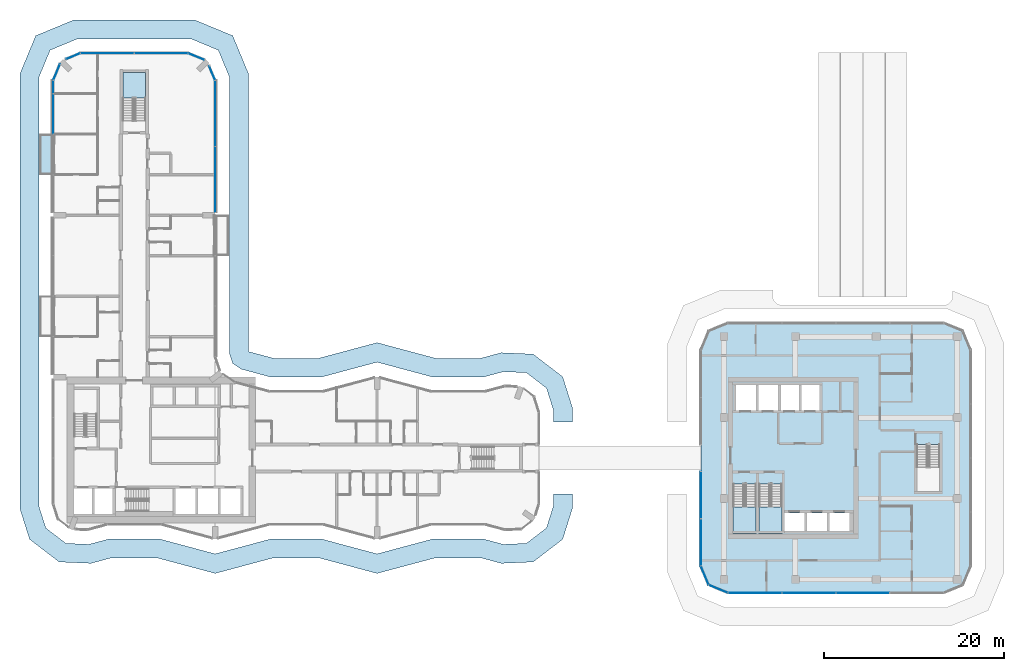
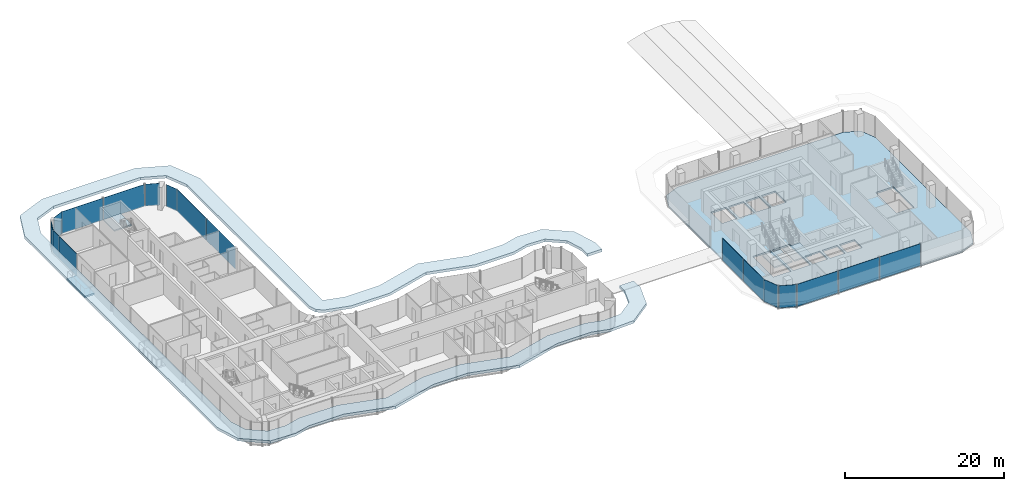
# One storey, part 12 of 24: 17 plates, 6 slabs, 14 elements without a shape of their own.
"""IFC4 building model written with IfcOpenShell, lengths in metres."""

from ifc_helpers import new_model, si_unit, direction, frame, origin, origin_2d, place, context, subcontext, project, spatial, polyline, rectangle, outline, extrude, material, layer, layer_set, type_object, element, aggregate, save


model = new_model("IFC4")

# Units and contexts
model_context = context("Model", 3, precision=1e-05, world=origin(), true_north=direction((0.0, 1.0)))
body_context = subcontext(model_context, "Body", "Model", "MODEL_VIEW")
ifc_project = project(units=[si_unit("LENGTHUNIT", "METRE"), si_unit("AREAUNIT", "SQUARE_METRE"), si_unit("VOLUMEUNIT", "CUBIC_METRE"), si_unit("PLANEANGLEUNIT", "RADIAN"), si_unit("MASSUNIT", "GRAM", prefix="KILO")], contexts=[model_context])

# Site, building, storey
site_placement = place(None, origin())
site = spatial("IfcSite", under=ifc_project, at=site_placement, CompositionType="ELEMENT")
building_placement = place(site_placement, origin())
building = spatial("IfcBuilding", under=site, at=building_placement, Name="Plateau Cross Towers", CompositionType="ELEMENT")
storey_placement = place(building_placement, frame((0.0, 0.0, 30.300048828125)))
storey = spatial("IfcBuildingStorey", under=building, at=storey_placement, Name="L06", CompositionType="ELEMENT", Elevation=30.300048828125)

# Slab
ifc_material_1 = material(Name="Concrete C40/50", Category="concrete")
ifc_layer_1 = layer(ifc_material_1, 0.25)
ifc_layer_set_1 = layer_set([ifc_layer_1], Name="Concrete C40/50")
slab_type_1 = type_object("IfcSlabType", Name="Balcony slab 250", PredefinedType="FLOOR", material=ifc_layer_set_1)
slab_1_placement = place(storey_placement, frame((0.0, 0.0, -0.25)))
element("IfcSlab", 1, at=slab_1_placement, inside=storey, type_object=slab_type_1, Name="Balcony slab A-BAL-L06-02", PredefinedType="FLOOR", context=body_context, shape_type="SweptSolid", body=[
    extrude(outline(polyline([(0.0, 40.5), (0.0, 45.0), (-1.5, 45.0), (-1.5, 40.5), (0.0, 40.5)])), origin(), (0.0, 0.0, 1.0), 0.25),
])

# Curtain wall, plates
ifc_material_2 = material(Name="Dark low-iron glass", Category="glass")
ifc_layer_2 = layer(ifc_material_2, 0.239990234375)
ifc_layer_set_2 = layer_set([ifc_layer_2], Name="Dark low-iron glass")
curtain_wall_type_1 = type_object("IfcCurtainWallType", Name="Curtain wall office unitised CW-F", PredefinedType="NOTDEFINED", material=ifc_layer_set_2)
curtain_wall_1_placement = place(storey_placement, origin())
curtain_wall_1 = element("IfcCurtainWall", 2, at=curtain_wall_1_placement, inside=storey, type_object=curtain_wall_type_1, Name="ENV/B/L06/B750_-60", PredefinedType="NOTDEFINED")
ifc_layer_3 = layer(ifc_material_2, 0.028076171875)
ifc_layer_set_3 = layer_set([ifc_layer_3], Name="Dark low-iron glass")
plate_type_1 = type_object("IfcPlateType", Name="Glass panel 28 office unitised", PredefinedType="CURTAIN_PANEL", material=ifc_layer_set_3)
plate_1_placement = place(storey_placement, frame((78.0, -6.0, -0.1298828125), z_axis=(0.0, 0.0, 1.0), x_axis=(1.0, 0.0, 0.0)))
plate_1 = element("IfcPlate", 3, at=plate_1_placement, type_object=plate_type_1, Name="CW-F panel 1", PredefinedType="CURTAIN_PANEL", context=body_context, shape_type="SweptSolid", body=[
    extrude(rectangle(XDim=5.93994140625, YDim=0.028076171875, at=origin_2d()), origin(), (0.0, 0.0, 1.0), 3.3798828125),
])
plate_2_placement = place(storey_placement, frame((84.0, -6.0, -0.1298828125), z_axis=(0.0, 0.0, 1.0), x_axis=(1.0, 0.0, 0.0)))
plate_2 = element("IfcPlate", 4, at=plate_2_placement, type_object=plate_type_1, Name="CW-F panel 2", PredefinedType="CURTAIN_PANEL", context=body_context, shape_type="SweptSolid", body=[
    extrude(rectangle(XDim=5.93994140625, YDim=0.028076171875, at=origin_2d()), origin(), (0.0, 0.0, 1.0), 3.3798828125),
])
plate_3_placement = place(storey_placement, frame((90.0, -6.0, -0.1298828125), z_axis=(0.0, 0.0, 1.0), x_axis=(1.0, 0.0, 0.0)))
plate_3 = element("IfcPlate", 5, at=plate_3_placement, type_object=plate_type_1, Name="CW-F panel 3", PredefinedType="CURTAIN_PANEL", context=body_context, shape_type="SweptSolid", body=[
    extrude(rectangle(XDim=5.93994140625, YDim=0.028076171875, at=origin_2d()), origin(), (0.0, 0.0, 1.0), 3.3798828125),
])
aggregate(curtain_wall_1, [plate_1, plate_2, plate_3])

curtain_wall_2_placement = place(storey_placement, origin())
curtain_wall_2 = element("IfcCurtainWall", 6, at=curtain_wall_2_placement, inside=storey, type_object=curtain_wall_type_1, Name="ENV/B/L06/B720_75", PredefinedType="NOTDEFINED")
plate_4_placement = place(storey_placement, frame((72.0, 4.875, -0.1298828125), z_axis=(0.0, 0.0, 1.0), x_axis=(0.0, -1.0, 0.0)))
plate_4 = element("IfcPlate", 7, at=plate_4_placement, type_object=plate_type_1, Name="CW-F panel 1", PredefinedType="CURTAIN_PANEL", context=body_context, shape_type="SweptSolid", body=[
    extrude(rectangle(XDim=5.18994140625, YDim=0.028076171875, at=origin_2d()), origin(), (0.0, 0.0, 1.0), 3.3798828125),
])
plate_5_placement = place(storey_placement, frame((72.0, -0.375, -0.1298828125), z_axis=(0.0, 0.0, 1.0), x_axis=(0.0, -1.0, 0.0)))
plate_5 = element("IfcPlate", 8, at=plate_5_placement, type_object=plate_type_1, Name="CW-F panel 2", PredefinedType="CURTAIN_PANEL", context=body_context, shape_type="SweptSolid", body=[
    extrude(rectangle(XDim=5.18994140625, YDim=0.028076171875, at=origin_2d()), origin(), (0.0, 0.0, 1.0), 3.3798828125),
])
aggregate(curtain_wall_2, [plate_4, plate_5])

# Curtain wall, plate
curtain_wall_3_placement = place(storey_placement, origin())
curtain_wall_3 = element("IfcCurtainWall", 9, at=curtain_wall_3_placement, inside=storey, type_object=curtain_wall_type_1, Name="ENV/B/L06/B720_-30", PredefinedType="NOTDEFINED")
plate_6_placement = place(storey_placement, frame((72.439453125, -4.060546875, -0.1298828125), z_axis=(0.0, 0.0, 1.0), x_axis=(0.382683612978, -0.923879457699, 0.0)))
plate_6 = element("IfcPlate", 10, at=plate_6_placement, type_object=plate_type_1, Name="CW-F panel 1", PredefinedType="CURTAIN_PANEL", context=body_context, shape_type="SweptSolid", body=[
    extrude(rectangle(XDim=2.236083984375, YDim=0.028076171875, at=origin_2d()), origin(), (0.0, 0.0, 1.0), 3.3798828125),
])
aggregate(curtain_wall_3, [plate_6])

curtain_wall_4_placement = place(storey_placement, origin())
curtain_wall_4 = element("IfcCurtainWall", 11, at=curtain_wall_4_placement, inside=storey, type_object=curtain_wall_type_1, Name="ENV/B/L06/B729_-51", PredefinedType="NOTDEFINED")
plate_7_placement = place(storey_placement, frame((73.939453125, -5.560546875, -0.1298828125), z_axis=(0.0, 0.0, 1.0), x_axis=(0.923879457699, -0.382683612978, 0.0)))
plate_7 = element("IfcPlate", 12, at=plate_7_placement, type_object=plate_type_1, Name="CW-F panel 1", PredefinedType="CURTAIN_PANEL", context=body_context, shape_type="SweptSolid", body=[
    extrude(rectangle(XDim=2.236083984375, YDim=0.028076171875, at=origin_2d()), origin(), (0.0, 0.0, 1.0), 3.3798828125),
])
aggregate(curtain_wall_4, [plate_7])

# Curtain wall, plates
ifc_layer_4 = layer(ifc_material_2, 0.239990234375)
ifc_layer_set_4 = layer_set([ifc_layer_4], Name="Dark low-iron glass")
curtain_wall_type_2 = type_object("IfcCurtainWallType", Name="Curtain wall flush unitised CW-B", PredefinedType="NOTDEFINED", material=ifc_layer_set_4)
curtain_wall_5_placement = place(storey_placement, origin())
curtain_wall_5 = element("IfcCurtainWall", 13, at=curtain_wall_5_placement, inside=storey, type_object=curtain_wall_type_2, Name="ENV/A/L06/A180_363", PredefinedType="NOTDEFINED")
ifc_layer_5 = layer(ifc_material_2, 0.031982421875)
ifc_layer_set_5 = layer_set([ifc_layer_5], Name="Dark low-iron glass")
plate_type_2 = type_object("IfcPlateType", Name="Glass panel 32 flush unitised", PredefinedType="CURTAIN_PANEL", material=ifc_layer_set_5)
plate_8_placement = place(storey_placement, frame((18.0, 39.97509765625, -0.1298828125), z_axis=(0.0, 0.0, 1.0), x_axis=(0.0, 1.0, 0.0)))
plate_8 = element("IfcPlate", 14, at=plate_8_placement, type_object=plate_type_2, Name="CW-B panel 1", PredefinedType="CURTAIN_PANEL", context=body_context, shape_type="SweptSolid", body=[
    extrude(rectangle(XDim=7.2900390625, YDim=0.031982421875, at=origin_2d()), origin(), (0.0, 0.0, 1.0), 3.3798828125),
])
plate_9_placement = place(storey_placement, frame((18.0, 47.324951171875, -0.1298828125), z_axis=(0.0, 0.0, 1.0), x_axis=(0.0, 1.0, 0.0)))
plate_9 = element("IfcPlate", 15, at=plate_9_placement, type_object=plate_type_2, Name="CW-B panel 2", PredefinedType="CURTAIN_PANEL", context=body_context, shape_type="SweptSolid", body=[
    extrude(rectangle(XDim=7.2900390625, YDim=0.031982421875, at=origin_2d()), origin(), (0.0, 0.0, 1.0), 3.3798828125),
])
aggregate(curtain_wall_5, [plate_8, plate_9])

# Curtain wall, plate
curtain_wall_6_placement = place(storey_placement, origin())
curtain_wall_6 = element("IfcCurtainWall", 16, at=curtain_wall_6_placement, inside=storey, type_object=curtain_wall_type_2, Name="ENV/A/L06/A180_510", PredefinedType="NOTDEFINED")
plate_10_placement = place(storey_placement, frame((17.66943359375, 51.79833984375, -0.1298828125), z_axis=(0.0, 0.0, 1.0), x_axis=(-0.382683612978, 0.923879457699, 0.0)))
plate_10 = element("IfcPlate", 17, at=plate_10_placement, type_object=plate_type_2, Name="CW-B panel 1", PredefinedType="CURTAIN_PANEL", context=body_context, shape_type="SweptSolid", body=[
    extrude(rectangle(XDim=1.668212890625, YDim=0.031982421875, at=origin_2d()), origin(), (0.0, 0.0, 1.0), 3.3798828125),
])
aggregate(curtain_wall_6, [plate_10])

curtain_wall_7_placement = place(storey_placement, origin())
curtain_wall_7 = element("IfcCurtainWall", 18, at=curtain_wall_7_placement, inside=storey, type_object=curtain_wall_type_2, Name="ENV/A/L06/A168_533", PredefinedType="NOTDEFINED")
plate_11_placement = place(storey_placement, frame((15.90283203125, 53.6259765625, -0.1298828125), z_axis=(0.0, 0.0, 1.0), x_axis=(-0.923879457699, 0.382683612978, 0.0)))
plate_11 = element("IfcPlate", 19, at=plate_11_placement, type_object=plate_type_2, Name="CW-B panel 1", PredefinedType="CURTAIN_PANEL", context=body_context, shape_type="SweptSolid", body=[
    extrude(rectangle(XDim=1.894775390625, YDim=0.031982421875, at=origin_2d()), origin(), (0.0, 0.0, 1.0), 3.3798828125),
])
aggregate(curtain_wall_7, [plate_11])

# Curtain wall, plates
curtain_wall_8_placement = place(storey_placement, origin())
curtain_wall_8 = element("IfcCurtainWall", 20, at=curtain_wall_8_placement, inside=storey, type_object=curtain_wall_type_2, Name="ENV/A/L06/A150_540", PredefinedType="NOTDEFINED")
plate_12_placement = place(storey_placement, frame((12.0, 54.0, -0.1298828125), z_axis=(0.0, 0.0, 1.0), x_axis=(-1.0, 0.0, 0.0)))
plate_12 = element("IfcPlate", 21, at=plate_12_placement, type_object=plate_type_2, Name="CW-B panel 1", PredefinedType="CURTAIN_PANEL", context=body_context, shape_type="SweptSolid", body=[
    extrude(rectangle(XDim=5.93994140625, YDim=0.031982421875, at=origin_2d()), origin(), (0.0, 0.0, 1.0), 3.3798828125),
])
plate_13_placement = place(storey_placement, frame((6.0, 54.0, -0.1298828125), z_axis=(0.0, 0.0, 1.0), x_axis=(-1.0, 0.0, 0.0)))
plate_13 = element("IfcPlate", 22, at=plate_13_placement, type_object=plate_type_2, Name="CW-B panel 2", PredefinedType="CURTAIN_PANEL", context=body_context, shape_type="SweptSolid", body=[
    extrude(rectangle(XDim=5.93994140625, YDim=0.031982421875, at=origin_2d()), origin(), (0.0, 0.0, 1.0), 3.3798828125),
])
aggregate(curtain_wall_8, [plate_12, plate_13])

# Curtain wall, plate
curtain_wall_9_placement = place(storey_placement, origin())
curtain_wall_9 = element("IfcCurtainWall", 23, at=curtain_wall_9_placement, inside=storey, type_object=curtain_wall_type_2, Name="ENV/A/L06/A30_540", PredefinedType="NOTDEFINED")
plate_14_placement = place(storey_placement, frame((2.20166015625, 53.66943359375, -0.1298828125), z_axis=(0.0, 0.0, 1.0), x_axis=(-0.923879457699, -0.382683612978, 0.0)))
plate_14 = element("IfcPlate", 24, at=plate_14_placement, type_object=plate_type_2, Name="CW-B panel 1", PredefinedType="CURTAIN_PANEL", context=body_context, shape_type="SweptSolid", body=[
    extrude(rectangle(XDim=1.668212890625, YDim=0.031982421875, at=origin_2d()), origin(), (0.0, 0.0, 1.0), 3.3798828125),
])
aggregate(curtain_wall_9, [plate_14])

curtain_wall_10_placement = place(storey_placement, origin())
curtain_wall_10 = element("IfcCurtainWall", 25, at=curtain_wall_10_placement, inside=storey, type_object=curtain_wall_type_2, Name="ENV/A/L06/A7_528", PredefinedType="NOTDEFINED")
plate_15_placement = place(storey_placement, frame((0.3740234375, 51.90283203125, -0.1298828125), z_axis=(0.0, 0.0, 1.0), x_axis=(-0.382683612978, -0.923879457699, 0.0)))
plate_15 = element("IfcPlate", 26, at=plate_15_placement, type_object=plate_type_2, Name="CW-B panel 1", PredefinedType="CURTAIN_PANEL", context=body_context, shape_type="SweptSolid", body=[
    extrude(rectangle(XDim=1.894775390625, YDim=0.031982421875, at=origin_2d()), origin(), (0.0, 0.0, 1.0), 3.3798828125),
])
aggregate(curtain_wall_10, [plate_15])

# Curtain wall, plates
curtain_wall_11_placement = place(storey_placement, origin())
curtain_wall_11 = element("IfcCurtainWall", 27, at=curtain_wall_11_placement, inside=storey, type_object=curtain_wall_type_2, Name="ENV/A/L06/A0_510", PredefinedType="NOTDEFINED")
plate_16_placement = place(storey_placement, frame((0.0, 50.25, -0.1298828125), z_axis=(0.0, 0.0, 1.0), x_axis=(0.0, -1.0, 0.0)))
plate_16 = element("IfcPlate", 28, at=plate_16_placement, type_object=plate_type_2, Name="CW-B panel 1", PredefinedType="CURTAIN_PANEL", context=body_context, shape_type="SweptSolid", body=[
    extrude(rectangle(XDim=1.43994140625, YDim=0.031982421875, at=origin_2d()), origin(), (0.0, 0.0, 1.0), 3.3798828125),
])
plate_17_placement = place(storey_placement, frame((0.0, 47.2548828125, -0.1298828125), z_axis=(0.0, 0.0, 1.0), x_axis=(0.0, -1.0, 0.0)))
plate_17 = element("IfcPlate", 29, at=plate_17_placement, type_object=plate_type_2, Name="CW-B panel 2", PredefinedType="CURTAIN_PANEL", context=body_context, shape_type="SweptSolid", body=[
    extrude(rectangle(XDim=4.429931640625, YDim=0.031982421875, at=origin_2d()), origin(), (0.0, 0.0, 1.0), 3.3798828125),
])
aggregate(curtain_wall_11, [plate_16, plate_17])

# Slabs
ifc_layer_6 = layer(ifc_material_1, 0.39990234375)
ifc_layer_set_6 = layer_set([ifc_layer_6], Name="Concrete C40/50")
slab_type_2 = type_object("IfcSlabType", Name="Plinth canopy slab 400", PredefinedType="ROOF", material=ifc_layer_set_6)
slab_2_placement = place(storey_placement, frame((0.0, 0.0, 2.800048828125)))
element("IfcSlab", 30, at=slab_2_placement, inside=storey, type_object=slab_type_2, Name="Plinth canopy 2", PredefinedType="ROOF", context=body_context, shape_type="SweptSolid", body=[
    extrude(outline(polyline([(-3.699951171875, 3.33984375), (-3.699951171875, 51.736083984375), (-1.953125, 55.953125), (2.263916015625, 57.699951171875), (15.736083984375, 57.699951171875), (19.953125, 55.953125), (21.699951171875, 51.736083984375), (21.699951171875, 20.913330078125), (21.719970703125, 20.854736328125), (21.771240234375, 20.8203125), (24.48681640625, 20.093017578125), (29.51318359375, 20.093017578125), (36.0, 21.830322265625), (42.48681640625, 20.093017578125), (47.51318359375, 20.093017578125), (49.81689453125, 20.7099609375), (53.353515625, 20.55517578125), (56.635498046875, 18.03662109375), (57.699951171875, 14.66015625), (57.699951171875, 13.0), (55.60009765625, 13.0), (55.60009765625, 14.337158203125), (54.831787109375, 16.773681640625), (52.60009765625, 18.486328125), (50.0478515625, 18.597900390625), (47.78955078125, 17.9931640625), (42.21044921875, 17.9931640625), (36.0, 19.656494140625), (29.78955078125, 17.9931640625), (24.21044921875, 17.9931640625), (20.89306640625, 18.881591796875), (19.96044921875, 19.504638671875), (19.60009765625, 20.56640625), (19.60009765625, 51.318359375), (18.345947265625, 54.345947265625), (15.318359375, 55.60009765625), (2.681640625, 55.60009765625), (-0.345947265625, 54.345947265625), (-1.60009765625, 51.318359375), (-1.60009765625, 3.662841796875), (-0.831787109375, 1.226318359375), (1.39990234375, -0.486328125), (3.9521484375, -0.597900390625), (6.21044921875, 0.0068359375), (11.78955078125, 0.0068359375), (18.0, -1.656494140625), (24.21044921875, 0.0068359375), (29.78955078125, 0.0068359375), (36.0, -1.656494140625), (42.21044921875, 0.0068359375), (47.78955078125, 0.0068359375), (50.0478515625, -0.597900390625), (52.60009765625, -0.486328125), (54.831787109375, 1.226318359375), (55.60009765625, 3.662841796875), (55.60009765625, 5.0), (57.699951171875, 5.0), (57.699951171875, 3.33984375), (56.635498046875, -0.03662109375), (53.353515625, -2.55517578125), (49.81689453125, -2.7099609375), (47.51318359375, -2.093017578125), (42.48681640625, -2.093017578125), (36.0, -3.830322265625), (29.51318359375, -2.093017578125), (24.48681640625, -2.093017578125), (18.0, -3.830322265625), (11.51318359375, -2.093017578125), (6.48681640625, -2.093017578125), (4.18310546875, -2.7099609375), (0.646484375, -2.55517578125), (-2.635498046875, -0.03662109375), (-3.699951171875, 3.33984375)])), origin(), (0.0, 0.0, 1.0), 0.39990234375),
])
ifc_layer_7 = layer(ifc_material_1, 0.25)
ifc_layer_set_7 = layer_set([ifc_layer_7], Name="Concrete C40/50")
slab_type_3 = type_object("IfcSlabType", Name="Post-tensioned flat plate slab 250", PredefinedType="FLOOR", material=ifc_layer_set_7)
slab_3_placement = place(storey_placement, frame((0.0, 0.0, -0.25)))
element("IfcSlab", 31, at=slab_3_placement, inside=storey, type_object=slab_type_3, Name="SL-B-L06", PredefinedType="FLOOR", context=body_context, shape_type="SweptSolid", body=[
    extrude(outline(polyline([(72.878662109375, -5.121337890625), (72.0, -3.0), (72.0, 21.0), (72.878662109375, 23.121337890625), (75.0, 24.0), (99.0, 24.0), (101.121337890625, 23.121337890625), (102.0, 21.0), (102.0, -3.0), (101.121337890625, -5.121337890625), (99.0, -6.0), (75.0, -6.0), (72.878662109375, -5.121337890625)]), holes=[polyline([(75.60009765625, 0.89990234375), (78.14990234375, 0.89990234375), (78.14990234375, 6.10009765625), (75.60009765625, 6.10009765625), (75.60009765625, 0.89990234375)]), polyline([(78.10009765625, 14.300048828125), (78.10009765625, 17.10009765625), (75.89990234375, 17.10009765625), (75.89990234375, 14.300048828125), (78.10009765625, 14.300048828125)]), polyline([(83.5, 0.89990234375), (83.5, 2.89990234375), (81.300048828125, 2.89990234375), (81.300048828125, 0.89990234375), (83.5, 0.89990234375)]), polyline([(86.0, 0.89990234375), (86.0, 2.89990234375), (83.800048828125, 2.89990234375), (83.800048828125, 0.89990234375), (86.0, 0.89990234375)]), polyline([(88.5, 0.89990234375), (88.5, 2.89990234375), (86.300048828125, 2.89990234375), (86.300048828125, 0.89990234375), (88.5, 0.89990234375)]), polyline([(78.449951171875, 0.89990234375), (81.0, 0.89990234375), (81.0, 6.10009765625), (78.449951171875, 6.10009765625), (78.449951171875, 0.89990234375)]), polyline([(96.0, 5.300048828125), (98.550048828125, 5.300048828125), (98.550048828125, 10.5), (96.0, 10.5), (96.0, 5.300048828125)]), polyline([(80.60009765625, 14.300048828125), (80.60009765625, 17.10009765625), (78.39990234375, 17.10009765625), (78.39990234375, 14.300048828125), (80.60009765625, 14.300048828125)]), polyline([(80.89990234375, 14.300048828125), (82.89990234375, 14.300048828125), (82.89990234375, 17.10009765625), (80.89990234375, 17.10009765625), (80.89990234375, 14.300048828125)]), polyline([(83.199951171875, 14.300048828125), (85.199951171875, 14.300048828125), (85.199951171875, 17.10009765625), (83.199951171875, 17.10009765625), (83.199951171875, 14.300048828125)])]), origin(), (0.0, 0.0, 1.0), 0.25),
])

# Stair, slab
stair_type = type_object("IfcStairType", Name="ST-TWR", PredefinedType="HALF_TURN_STAIR", material=ifc_material_1)
stair_1_placement = place(storey_placement, origin())
stair_1 = element("IfcStair", 32, at=stair_1_placement, inside=storey, type_object=stair_type, Name="L06 Protected Exit Stair SB-1", PredefinedType="HALF_TURN_STAIR")
ifc_layer_8 = layer(ifc_material_1, 0.199951171875)
ifc_layer_set_8 = layer_set([ifc_layer_8], Name="Concrete C40/50")
slab_type_4 = type_object("IfcSlabType", Name="SL-LANDING", PredefinedType="LANDING", material=ifc_layer_set_8)
slab_4_placement = place(storey_placement, frame((0.0, 0.0, 1.550048828125)))
slab_4 = element("IfcSlab", 33, at=slab_4_placement, type_object=slab_type_4, Name="SB-1 landing 1", PredefinedType="LANDING", context=body_context, shape_type="SweptSolid", body=[
    extrude(outline(polyline([(75.550048828125, 3.580078125), (75.550048828125, 0.550048828125), (78.14990234375, 0.550048828125), (78.14990234375, 3.580078125), (75.550048828125, 3.580078125)])), origin(), (0.0, 0.0, 1.0), 0.199951171875),
])
aggregate(stair_1, [slab_4])

stair_2_placement = place(storey_placement, origin())
stair_2 = element("IfcStair", 34, at=stair_2_placement, inside=storey, type_object=stair_type, Name="L06 Protected Exit Stair SB-2", PredefinedType="HALF_TURN_STAIR")
slab_5_placement = place(storey_placement, frame((0.0, 0.0, 1.550048828125)))
slab_5 = element("IfcSlab", 35, at=slab_5_placement, type_object=slab_type_4, Name="SB-2 landing 1", PredefinedType="LANDING", context=body_context, shape_type="SweptSolid", body=[
    extrude(outline(polyline([(78.449951171875, 3.580078125), (78.449951171875, 0.550048828125), (81.0, 0.550048828125), (81.0, 3.580078125), (78.449951171875, 3.580078125)])), origin(), (0.0, 0.0, 1.0), 0.199951171875),
])
aggregate(stair_2, [slab_5])

stair_3_placement = place(storey_placement, origin())
stair_3 = element("IfcStair", 36, at=stair_3_placement, inside=storey, type_object=stair_type, Name="L06 Protected Exit Stair N", PredefinedType="HALF_TURN_STAIR")
slab_6_placement = place(storey_placement, frame((0.0, 0.0, 1.550048828125)))
slab_6 = element("IfcSlab", 37, at=slab_6_placement, type_object=slab_type_4, Name="ES-N landing 1", PredefinedType="LANDING", context=body_context, shape_type="SweptSolid", body=[
    extrude(outline(polyline([(10.27490234375, 49.02001953125), (10.27490234375, 51.85009765625), (7.72509765625, 51.85009765625), (7.72509765625, 49.02001953125), (10.27490234375, 49.02001953125)])), origin(), (0.0, 0.0, 1.0), 0.199951171875),
])
aggregate(stair_3, [slab_6])

save(model, "model.ifc")
